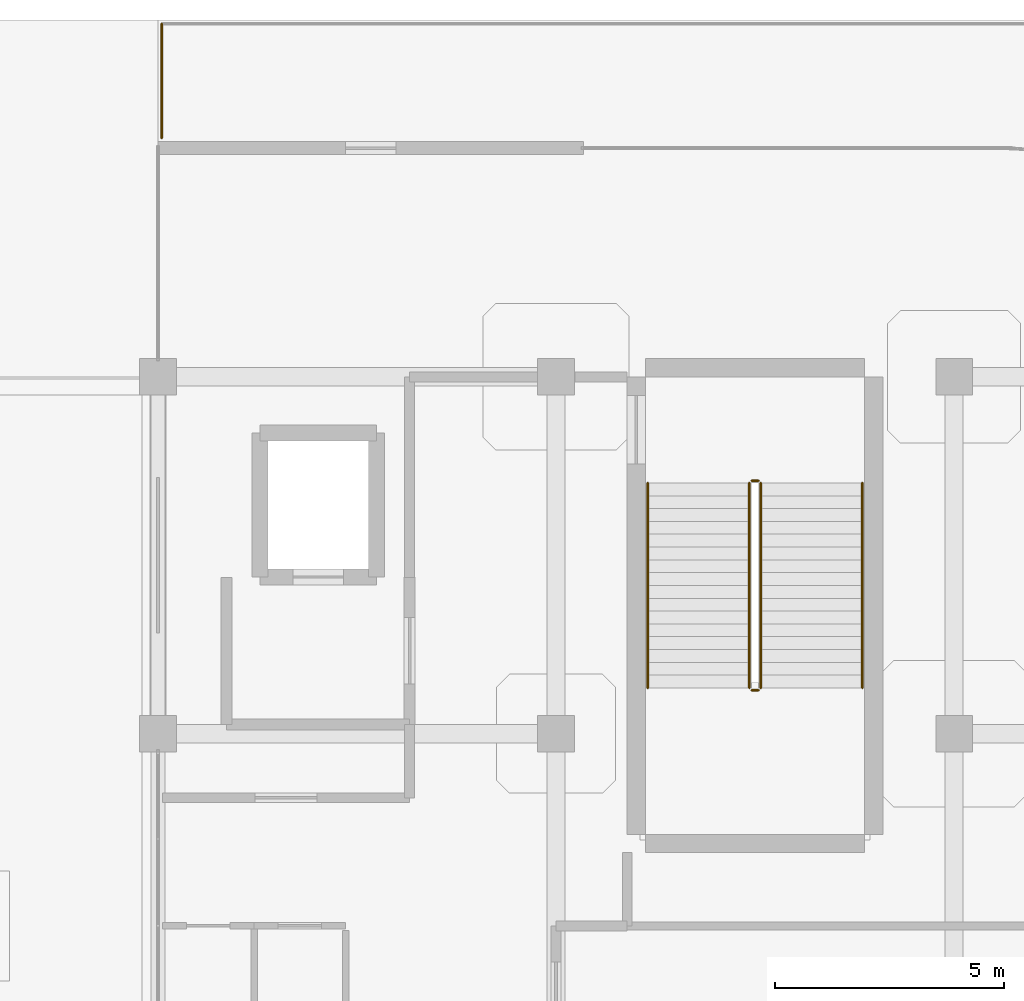
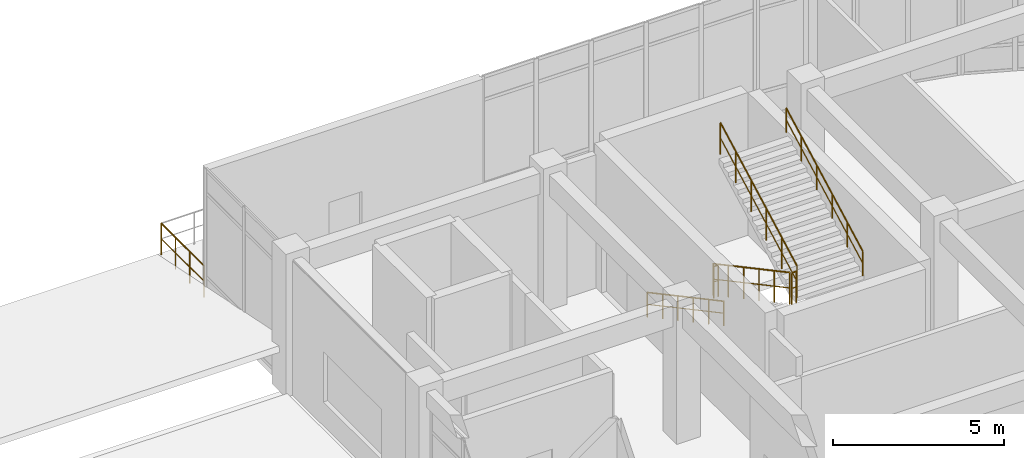
# One storey, part 122 of 124: 7 railings.
"""IFC4 building model written with IfcOpenShell, lengths in metres."""

from ifc_helpers import new_model, si_unit, derived_unit, direction, frame, origin, origin_2d, place, context, subcontext, project, spatial, circle, extrude, material, type_object, element, save


model = new_model("IFC4")

# Units and contexts
model_context = context("Model", 3, precision=1e-05, world=origin(), true_north=direction((0.0, 1.0)))
body_context = subcontext(model_context, "Body", "Model", "MODEL_VIEW")
ifc_project = project(units=[si_unit("LENGTHUNIT", "METRE"), si_unit("AREAUNIT", "SQUARE_METRE"), si_unit("VOLUMEUNIT", "CUBIC_METRE"), si_unit("PLANEANGLEUNIT", "RADIAN"), si_unit("MASSUNIT", "GRAM", prefix="KILO"), derived_unit("THERMALTRANSMITTANCEUNIT", [(si_unit("MASSUNIT", "GRAM", prefix="KILO"), 1), (si_unit("TIMEUNIT", "SECOND"), -3), (si_unit("THERMODYNAMICTEMPERATUREUNIT", "KELVIN"), -1)])], contexts=[model_context])

# Site, building, storey
site_placement = place(None, origin())
site = spatial("IfcSite", under=ifc_project, at=site_placement, CompositionType="ELEMENT")
building_placement = place(site_placement, origin())
building = spatial("IfcBuilding", under=site, at=building_placement, Name="Qinzheling Arcade Emporium", CompositionType="ELEMENT")
storey_placement = place(building_placement, frame((0.0, 0.0, 16.5)))
storey = spatial("IfcBuildingStorey", under=building, at=storey_placement, Name="L04", CompositionType="ELEMENT", Elevation=16.5)

# Railings
ifc_material_1 = material(Name="Architectural bronze rail and laminated safety glass", Category="glass")
railing_type_1 = type_object("IfcRailingType", Name="Curved Terrace Laminated Glass and Bronze Balustrade 1150", PredefinedType="BALUSTRADE", material=ifc_material_1)
railing_1_placement = place(storey_placement, frame((104.47998046875, 112.02001953125, 0.0)))
element("IfcRailing", 1, at=railing_1_placement, inside=storey, type_object=railing_type_1, Name="Terrace Balustrade RLG-TER-L04-007", PredefinedType="BALUSTRADE", context=body_context, shape_type="SweptSolid", body=[
    extrude(circle(Radius=0.02392578125, at=origin_2d()), frame((0.0, 0.0, 1.1259765625), z_axis=(0.0, 1.0, 0.0), x_axis=(-1.0, 0.0, 0.0)), (0.0, 0.0, 1.0), 2.5),
    extrude(circle(Radius=0.01611328125, at=origin_2d()), frame((0.0, 0.0, 0.574951171875), z_axis=(0.0, 1.0, 0.0), x_axis=(-1.0, 0.0, 0.0)), (0.0, 0.0, 1.0), 2.5),
    extrude(circle(Radius=0.02099609375, at=origin_2d()), origin(), (0.0, 0.0, 1.0), 1.101806640625),
    extrude(circle(Radius=0.02099609375, at=origin_2d()), frame((0.0, 0.833251953125, 0.0)), (0.0, 0.0, 1.0), 1.101806640625),
    extrude(circle(Radius=0.02099609375, at=origin_2d()), frame((0.0, 1.666748046875, 0.0)), (0.0, 0.0, 1.0), 1.101806640625),
    extrude(circle(Radius=0.02099609375, at=origin_2d()), frame((0.0, 2.5, 0.0)), (0.0, 0.0, 1.0), 1.101806640625),
])
ifc_material_2 = material(Name="Galvanised powder-coated tubular steel", Category="steel")
railing_type_2 = type_object("IfcRailingType", Name="Painted Steel Stairwell Guard Railing 1150", PredefinedType="GUARDRAIL", material=ifc_material_2)
railing_2_placement = place(storey_placement, frame((117.324951171875, 104.47998046875, 0.14990234375)))
element("IfcRailing", 2, at=railing_2_placement, inside=storey, type_object=railing_type_2, Name="L04 ST08 stair guard 1", PredefinedType="GUARDRAIL", context=body_context, shape_type="SweptSolid", body=[
    extrude(circle(Radius=0.02392578125, at=origin_2d()), frame((0.0, 0.0, 1.1259765625), z_axis=(0.0, -0.881467115574, 0.472245406714), x_axis=(1.0, 0.0, 0.0)), (0.0, 0.0, 1.0), 5.08251953125),
    extrude(circle(Radius=0.01611328125, at=origin_2d()), frame((0.0, 0.0, 0.574951171875), z_axis=(0.0, -0.881467115574, 0.472245406714), x_axis=(1.0, 0.0, 0.0)), (0.0, 0.0, 1.0), 5.08251953125),
    extrude(circle(Radius=0.02099609375, at=origin_2d()), origin(), (0.0, 0.0, 1.0), 1.101806640625),
    extrude(circle(Radius=0.02099609375, at=origin_2d()), frame((0.0, -0.89599609375, 0.47998046875)), (0.0, 0.0, 1.0), 1.101806640625),
    extrude(circle(Radius=0.02099609375, at=origin_2d()), frame((0.0, -1.7919921875, 0.9599609375)), (0.0, 0.0, 1.0), 1.101806640625),
    extrude(circle(Radius=0.02099609375, at=origin_2d()), frame((0.0, -2.68798828125, 1.440185546875)), (0.0, 0.0, 1.0), 1.101806640625),
    extrude(circle(Radius=0.02099609375, at=origin_2d()), frame((0.0, -3.583984375, 1.920166015625)), (0.0, 0.0, 1.0), 1.101806640625),
    extrude(circle(Radius=0.02099609375, at=origin_2d()), frame((0.0, -4.47998046875, 2.400146484375)), (0.0, 0.0, 1.0), 1.101806640625),
])
railing_3_placement = place(storey_placement, frame((117.375, 99.949951171875, 2.550048828125)))
element("IfcRailing", 3, at=railing_3_placement, inside=storey, type_object=railing_type_2, Name="L04 ST08 stair guard 2", PredefinedType="GUARDRAIL", context=body_context, shape_type="SweptSolid", body=[
    extrude(circle(Radius=0.02392578125, at=origin_2d()), frame((0.0, 0.0, 1.1259765625), z_axis=(1.0, 0.0, 0.0), x_axis=(0.0, 1.0, 0.0)), (0.0, 0.0, 1.0), 0.14990234375),
    extrude(circle(Radius=0.01611328125, at=origin_2d()), frame((0.0, 0.0, 0.574951171875), z_axis=(1.0, 0.0, 0.0), x_axis=(0.0, 1.0, 0.0)), (0.0, 0.0, 1.0), 0.14990234375),
    extrude(circle(Radius=0.02099609375, at=origin_2d()), origin(), (0.0, 0.0, 1.0), 1.101806640625),
    extrude(circle(Radius=0.02099609375, at=origin_2d()), frame((0.14990234375, 0.0, 0.0)), (0.0, 0.0, 1.0), 1.101806640625),
])
railing_4_placement = place(storey_placement, frame((117.574951171875, 100.0, 2.699951171875)))
element("IfcRailing", 4, at=railing_4_placement, inside=storey, type_object=railing_type_2, Name="L04 ST08 stair guard 3", PredefinedType="GUARDRAIL", context=body_context, shape_type="SweptSolid", body=[
    extrude(circle(Radius=0.02392578125, at=origin_2d()), frame((0.0, 0.0, 1.1259765625), z_axis=(0.0, 0.881467115574, 0.472245406714), x_axis=(-1.0, 0.0, 0.0)), (0.0, 0.0, 1.0), 5.08251953125),
    extrude(circle(Radius=0.01611328125, at=origin_2d()), frame((0.0, 0.0, 0.574951171875), z_axis=(0.0, 0.881467115574, 0.472245406714), x_axis=(-1.0, 0.0, 0.0)), (0.0, 0.0, 1.0), 5.08251953125),
    extrude(circle(Radius=0.02099609375, at=origin_2d()), origin(), (0.0, 0.0, 1.0), 1.101806640625),
    extrude(circle(Radius=0.02099609375, at=origin_2d()), frame((0.0, 0.89599609375, 0.47998046875)), (0.0, 0.0, 1.0), 1.101806640625),
    extrude(circle(Radius=0.02099609375, at=origin_2d()), frame((0.0, 1.7919921875, 0.9599609375)), (0.0, 0.0, 1.0), 1.101806640625),
    extrude(circle(Radius=0.02099609375, at=origin_2d()), frame((0.0, 2.68798828125, 1.440185546875)), (0.0, 0.0, 1.0), 1.101806640625),
    extrude(circle(Radius=0.02099609375, at=origin_2d()), frame((0.0, 3.583984375, 1.920166015625)), (0.0, 0.0, 1.0), 1.101806640625),
    extrude(circle(Radius=0.02099609375, at=origin_2d()), frame((0.0, 4.47998046875, 2.400146484375)), (0.0, 0.0, 1.0), 1.101806640625),
])
railing_5_placement = place(storey_placement, frame((117.375, 104.530029296875, 0.0)))
element("IfcRailing", 5, at=railing_5_placement, inside=storey, type_object=railing_type_2, Name="L04 ST08 stair guard 4", PredefinedType="GUARDRAIL", context=body_context, shape_type="SweptSolid", body=[
    extrude(circle(Radius=0.02392578125, at=origin_2d()), frame((0.0, 0.0, 1.1259765625), z_axis=(1.0, 0.0, 0.0), x_axis=(0.0, 1.0, 0.0)), (0.0, 0.0, 1.0), 0.14990234375),
    extrude(circle(Radius=0.01611328125, at=origin_2d()), frame((0.0, 0.0, 0.574951171875), z_axis=(1.0, 0.0, 0.0), x_axis=(0.0, 1.0, 0.0)), (0.0, 0.0, 1.0), 0.14990234375),
    extrude(circle(Radius=0.02099609375, at=origin_2d()), origin(), (0.0, 0.0, 1.0), 1.101806640625),
    extrude(circle(Radius=0.02099609375, at=origin_2d()), frame((0.14990234375, 0.0, 0.0)), (0.0, 0.0, 1.0), 1.101806640625),
])
ifc_material_3 = material(Name="Brushed stainless steel 304", Category="steel")
railing_type_3 = type_object("IfcRailingType", Name="Stainless Steel Wall Handrail 900", PredefinedType="HANDRAIL", material=ifc_material_3)
railing_6_placement = place(storey_placement, frame((115.10498046875, 104.47998046875, 0.14990234375)))
element("IfcRailing", 6, at=railing_6_placement, inside=storey, type_object=railing_type_3, Name="L04 ST08 stair handrail 1", PredefinedType="HANDRAIL", context=body_context, shape_type="SweptSolid", body=[
    extrude(circle(Radius=0.02392578125, at=origin_2d()), frame((0.0, 0.0, 0.8759765625), z_axis=(0.0, -0.881467115574, 0.472245406714), x_axis=(1.0, 0.0, 0.0)), (0.0, 0.0, 1.0), 5.08251953125),
    extrude(circle(Radius=0.01611328125, at=origin_2d()), frame((0.0, 0.0, 0.449951171875), z_axis=(0.0, -0.881467115574, 0.472245406714), x_axis=(1.0, 0.0, 0.0)), (0.0, 0.0, 1.0), 5.08251953125),
    extrude(circle(Radius=0.02099609375, at=origin_2d()), origin(), (0.0, 0.0, 1.0), 0.851806640625),
    extrude(circle(Radius=0.02099609375, at=origin_2d()), frame((0.0, -0.89599609375, 0.47998046875)), (0.0, 0.0, 1.0), 0.851806640625),
    extrude(circle(Radius=0.02099609375, at=origin_2d()), frame((0.0, -1.7919921875, 0.9599609375)), (0.0, 0.0, 1.0), 0.851806640625),
    extrude(circle(Radius=0.02099609375, at=origin_2d()), frame((0.0, -2.68798828125, 1.440185546875)), (0.0, 0.0, 1.0), 0.851806640625),
    extrude(circle(Radius=0.02099609375, at=origin_2d()), frame((0.0, -3.583984375, 1.920166015625)), (0.0, 0.0, 1.0), 0.851806640625),
    extrude(circle(Radius=0.02099609375, at=origin_2d()), frame((0.0, -4.47998046875, 2.400146484375)), (0.0, 0.0, 1.0), 0.851806640625),
])
railing_7_placement = place(storey_placement, frame((119.794921875, 100.0, 2.699951171875)))
element("IfcRailing", 7, at=railing_7_placement, inside=storey, type_object=railing_type_3, Name="L04 ST08 stair handrail 2", PredefinedType="HANDRAIL", context=body_context, shape_type="SweptSolid", body=[
    extrude(circle(Radius=0.02392578125, at=origin_2d()), frame((0.0, 0.0, 0.8759765625), z_axis=(0.0, 0.881467115574, 0.472245406714), x_axis=(-1.0, 0.0, 0.0)), (0.0, 0.0, 1.0), 5.08251953125),
    extrude(circle(Radius=0.01611328125, at=origin_2d()), frame((0.0, 0.0, 0.449951171875), z_axis=(0.0, 0.881467115574, 0.472245406714), x_axis=(-1.0, 0.0, 0.0)), (0.0, 0.0, 1.0), 5.08251953125),
    extrude(circle(Radius=0.02099609375, at=origin_2d()), origin(), (0.0, 0.0, 1.0), 0.851806640625),
    extrude(circle(Radius=0.02099609375, at=origin_2d()), frame((0.0, 0.89599609375, 0.47998046875)), (0.0, 0.0, 1.0), 0.851806640625),
    extrude(circle(Radius=0.02099609375, at=origin_2d()), frame((0.0, 1.7919921875, 0.9599609375)), (0.0, 0.0, 1.0), 0.851806640625),
    extrude(circle(Radius=0.02099609375, at=origin_2d()), frame((0.0, 2.68798828125, 1.440185546875)), (0.0, 0.0, 1.0), 0.851806640625),
    extrude(circle(Radius=0.02099609375, at=origin_2d()), frame((0.0, 3.583984375, 1.920166015625)), (0.0, 0.0, 1.0), 0.851806640625),
    extrude(circle(Radius=0.02099609375, at=origin_2d()), frame((0.0, 4.47998046875, 2.400146484375)), (0.0, 0.0, 1.0), 0.851806640625),
])

save(model, "model.ifc")
